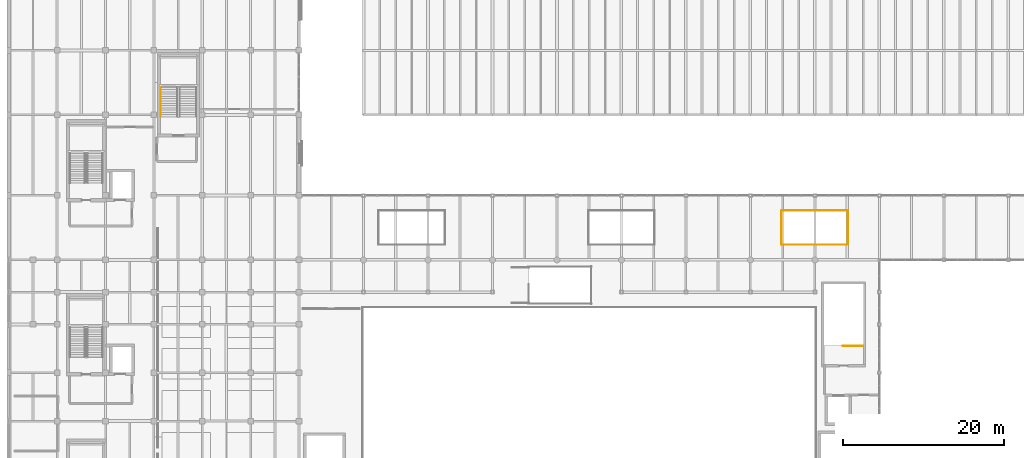
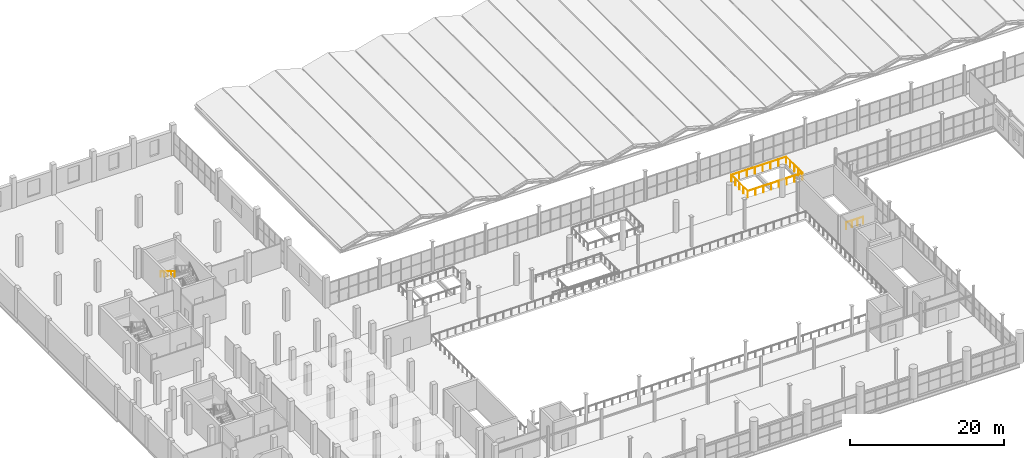
# One storey, part 109 of 114: 6 railings.
"""IFC4 building model written with IfcOpenShell, lengths in metres."""

from ifc_helpers import new_model, si_unit, direction, frame, origin, origin_2d, place, context, subcontext, project, spatial, circle, extrude, material, type_object, element, save


model = new_model("IFC4")

# Units and contexts
model_context = context("Model", 3, precision=1e-05, world=origin(), true_north=direction((0.0, 1.0)))
body_context = subcontext(model_context, "Body", "Model", "MODEL_VIEW")
ifc_project = project(units=[si_unit("LENGTHUNIT", "METRE"), si_unit("AREAUNIT", "SQUARE_METRE"), si_unit("VOLUMEUNIT", "CUBIC_METRE"), si_unit("PLANEANGLEUNIT", "RADIAN"), si_unit("MASSUNIT", "GRAM", prefix="KILO")], contexts=[model_context])

# Site, building, storey
site_placement = place(None, origin())
site = spatial("IfcSite", under=ifc_project, at=site_placement, CompositionType="ELEMENT")
building_placement = place(site_placement, origin())
building = spatial("IfcBuilding", under=site, at=building_placement, Name="Verrall Gate Interchange", CompositionType="ELEMENT")
storey_placement = place(building_placement, frame((0.0, 0.0, 6.60009765625)))
storey = spatial("IfcBuildingStorey", under=building, at=storey_placement, Name="L02", CompositionType="ELEMENT", Elevation=6.60009765625)

# Railings
ifc_material_1 = material(Name="Brushed Stainless-Steel Guardrail and Handrail System", Category="steel")
railing_type_1 = type_object("IfcRailingType", Name="GR-02 Interior Atrium and Stair Guardrail 1100", PredefinedType="GUARDRAIL", material=ifc_material_1)
railing_1_placement = place(storey_placement, frame((106.0, 37.300048828125, 0.0)))
element("IfcRailing", 1, at=railing_1_placement, inside=storey, type_object=railing_type_1, Name="L02 ST-07 top well guard 1", PredefinedType="GUARDRAIL", context=body_context, shape_type="SweptSolid", body=[
    extrude(circle(Radius=0.02392578125, at=origin_2d()), frame((0.0, 0.0, 1.076171875), z_axis=(-1.0, 0.0, 0.0), x_axis=(0.0, -1.0, 0.0)), (0.0, 0.0, 1.0), 2.550048828125),
    extrude(circle(Radius=0.02099609375, at=origin_2d()), origin(), (0.0, 0.0, 1.0), 1.052001953125),
    extrude(circle(Radius=0.02099609375, at=origin_2d()), frame((-0.85009765625, 0.0, 0.0)), (0.0, 0.0, 1.0), 1.052001953125),
    extrude(circle(Radius=0.02099609375, at=origin_2d()), frame((-1.699951171875, 0.0, 0.0)), (0.0, 0.0, 1.0), 1.052001953125),
    extrude(circle(Radius=0.02099609375, at=origin_2d()), frame((-2.550048828125, 0.0, 0.0)), (0.0, 0.0, 1.0), 1.052001953125),
])
railing_2_placement = place(storey_placement, frame((95.8798828125, 49.8798828125, 0.0)))
element("IfcRailing", 2, at=railing_2_placement, inside=storey, type_object=railing_type_1, Name="L02 ATRIUM-3 Perimeter Guardrail 13", PredefinedType="GUARDRAIL", context=body_context, shape_type="SweptSolid", body=[
    extrude(circle(Radius=0.02392578125, at=origin_2d()), frame((0.0, 0.0, 1.076171875), z_axis=(1.0, 0.0, 0.0), x_axis=(0.0, 1.0, 0.0)), (0.0, 0.0, 1.0), 8.240234375),
    extrude(circle(Radius=0.02099609375, at=origin_2d()), origin(), (0.0, 0.0, 1.0), 1.052001953125),
    extrude(circle(Radius=0.02099609375, at=origin_2d()), frame((1.17724609375, 0.0, 0.0)), (0.0, 0.0, 1.0), 1.052001953125),
    extrude(circle(Radius=0.02099609375, at=origin_2d()), frame((2.354248046875, 0.0, 0.0)), (0.0, 0.0, 1.0), 1.052001953125),
    extrude(circle(Radius=0.02099609375, at=origin_2d()), frame((3.531494140625, 0.0, 0.0)), (0.0, 0.0, 1.0), 1.052001953125),
    extrude(circle(Radius=0.02099609375, at=origin_2d()), frame((4.708740234375, 0.0, 0.0)), (0.0, 0.0, 1.0), 1.052001953125),
    extrude(circle(Radius=0.02099609375, at=origin_2d()), frame((5.885986328125, 0.0, 0.0)), (0.0, 0.0, 1.0), 1.052001953125),
    extrude(circle(Radius=0.02099609375, at=origin_2d()), frame((7.06298828125, 0.0, 0.0)), (0.0, 0.0, 1.0), 1.052001953125),
    extrude(circle(Radius=0.02099609375, at=origin_2d()), frame((8.240234375, 0.0, 0.0)), (0.0, 0.0, 1.0), 1.052001953125),
])
railing_3_placement = place(storey_placement, frame((104.1201171875, 49.8798828125, 0.0)))
element("IfcRailing", 3, at=railing_3_placement, inside=storey, type_object=railing_type_1, Name="L02 ATRIUM-3 Perimeter Guardrail 14", PredefinedType="GUARDRAIL", context=body_context, shape_type="SweptSolid", body=[
    extrude(circle(Radius=0.02392578125, at=origin_2d()), frame((0.0, 0.0, 1.076171875), z_axis=(0.0, 1.0, 0.0), x_axis=(-1.0, 0.0, 0.0)), (0.0, 0.0, 1.0), 4.240234375),
    extrude(circle(Radius=0.02099609375, at=origin_2d()), origin(), (0.0, 0.0, 1.0), 1.052001953125),
    extrude(circle(Radius=0.02099609375, at=origin_2d()), frame((0.0, 1.06005859375, 0.0)), (0.0, 0.0, 1.0), 1.052001953125),
    extrude(circle(Radius=0.02099609375, at=origin_2d()), frame((0.0, 2.1201171875, 0.0)), (0.0, 0.0, 1.0), 1.052001953125),
    extrude(circle(Radius=0.02099609375, at=origin_2d()), frame((0.0, 3.18017578125, 0.0)), (0.0, 0.0, 1.0), 1.052001953125),
    extrude(circle(Radius=0.02099609375, at=origin_2d()), frame((0.0, 4.240234375, 0.0)), (0.0, 0.0, 1.0), 1.052001953125),
])
railing_4_placement = place(storey_placement, frame((104.1201171875, 54.1201171875, 0.0)))
element("IfcRailing", 4, at=railing_4_placement, inside=storey, type_object=railing_type_1, Name="L02 ATRIUM-3 Perimeter Guardrail 15", PredefinedType="GUARDRAIL", context=body_context, shape_type="SweptSolid", body=[
    extrude(circle(Radius=0.02392578125, at=origin_2d()), frame((0.0, 0.0, 1.076171875), z_axis=(-1.0, 0.0, 0.0), x_axis=(0.0, -1.0, 0.0)), (0.0, 0.0, 1.0), 8.240234375),
    extrude(circle(Radius=0.02099609375, at=origin_2d()), origin(), (0.0, 0.0, 1.0), 1.052001953125),
    extrude(circle(Radius=0.02099609375, at=origin_2d()), frame((-1.17724609375, 0.0, 0.0)), (0.0, 0.0, 1.0), 1.052001953125),
    extrude(circle(Radius=0.02099609375, at=origin_2d()), frame((-2.354248046875, 0.0, 0.0)), (0.0, 0.0, 1.0), 1.052001953125),
    extrude(circle(Radius=0.02099609375, at=origin_2d()), frame((-3.531494140625, 0.0, 0.0)), (0.0, 0.0, 1.0), 1.052001953125),
    extrude(circle(Radius=0.02099609375, at=origin_2d()), frame((-4.708740234375, 0.0, 0.0)), (0.0, 0.0, 1.0), 1.052001953125),
    extrude(circle(Radius=0.02099609375, at=origin_2d()), frame((-5.885986328125, 0.0, 0.0)), (0.0, 0.0, 1.0), 1.052001953125),
    extrude(circle(Radius=0.02099609375, at=origin_2d()), frame((-7.06298828125, 0.0, 0.0)), (0.0, 0.0, 1.0), 1.052001953125),
    extrude(circle(Radius=0.02099609375, at=origin_2d()), frame((-8.240234375, 0.0, 0.0)), (0.0, 0.0, 1.0), 1.052001953125),
])
railing_5_placement = place(storey_placement, frame((95.8798828125, 54.1201171875, 0.0)))
element("IfcRailing", 5, at=railing_5_placement, inside=storey, type_object=railing_type_1, Name="L02 ATRIUM-3 Perimeter Guardrail 16", PredefinedType="GUARDRAIL", context=body_context, shape_type="SweptSolid", body=[
    extrude(circle(Radius=0.02392578125, at=origin_2d()), frame((0.0, 0.0, 1.076171875), z_axis=(0.0, -1.0, 0.0), x_axis=(1.0, 0.0, 0.0)), (0.0, 0.0, 1.0), 4.240234375),
    extrude(circle(Radius=0.02099609375, at=origin_2d()), origin(), (0.0, 0.0, 1.0), 1.052001953125),
    extrude(circle(Radius=0.02099609375, at=origin_2d()), frame((0.0, -1.06005859375, 0.0)), (0.0, 0.0, 1.0), 1.052001953125),
    extrude(circle(Radius=0.02099609375, at=origin_2d()), frame((0.0, -2.1201171875, 0.0)), (0.0, 0.0, 1.0), 1.052001953125),
    extrude(circle(Radius=0.02099609375, at=origin_2d()), frame((0.0, -3.18017578125, 0.0)), (0.0, 0.0, 1.0), 1.052001953125),
    extrude(circle(Radius=0.02099609375, at=origin_2d()), frame((0.0, -4.240234375, 0.0)), (0.0, 0.0, 1.0), 1.052001953125),
])
ifc_material_2 = material(Name="Brushed Stainless-Steel Guardrail and Handrail System", Category="steel")
railing_type_2 = type_object("IfcRailingType", Name="HR-01 Stair and Ramp Pitch-Line Handrail 920", PredefinedType="HANDRAIL", material=ifc_material_2)
railing_6_placement = place(storey_placement, frame((18.85009765625, 69.389892578125, 2.5712890625)))
element("IfcRailing", 6, at=railing_6_placement, inside=storey, type_object=railing_type_2, Name="L02 ST-04 stair handrail 2", PredefinedType="HANDRAIL", context=body_context, shape_type="SweptSolid", body=[
    extrude(circle(Radius=0.02392578125, at=origin_2d()), frame((0.0, 0.0, 0.8759765625), z_axis=(0.0, -0.852850264322, 0.5221555579), x_axis=(1.0, 0.0, 0.0)), (0.0, 0.0, 1.0), 4.267822265625),
    extrude(circle(Radius=0.02099609375, at=origin_2d()), origin(), (0.0, 0.0, 1.0), 0.851806640625),
    extrude(circle(Radius=0.02099609375, at=origin_2d()), frame((0.0, -0.909912109375, 0.55712890625)), (0.0, 0.0, 1.0), 0.851806640625),
    extrude(circle(Radius=0.02099609375, at=origin_2d()), frame((0.0, -1.81982421875, 1.1142578125)), (0.0, 0.0, 1.0), 0.851806640625),
    extrude(circle(Radius=0.02099609375, at=origin_2d()), frame((0.0, -2.72998046875, 1.67138671875)), (0.0, 0.0, 1.0), 0.851806640625),
    extrude(circle(Radius=0.02099609375, at=origin_2d()), frame((0.0, -3.639892578125, 2.228515625)), (0.0, 0.0, 1.0), 0.851806640625),
])

save(model, "model.ifc")
